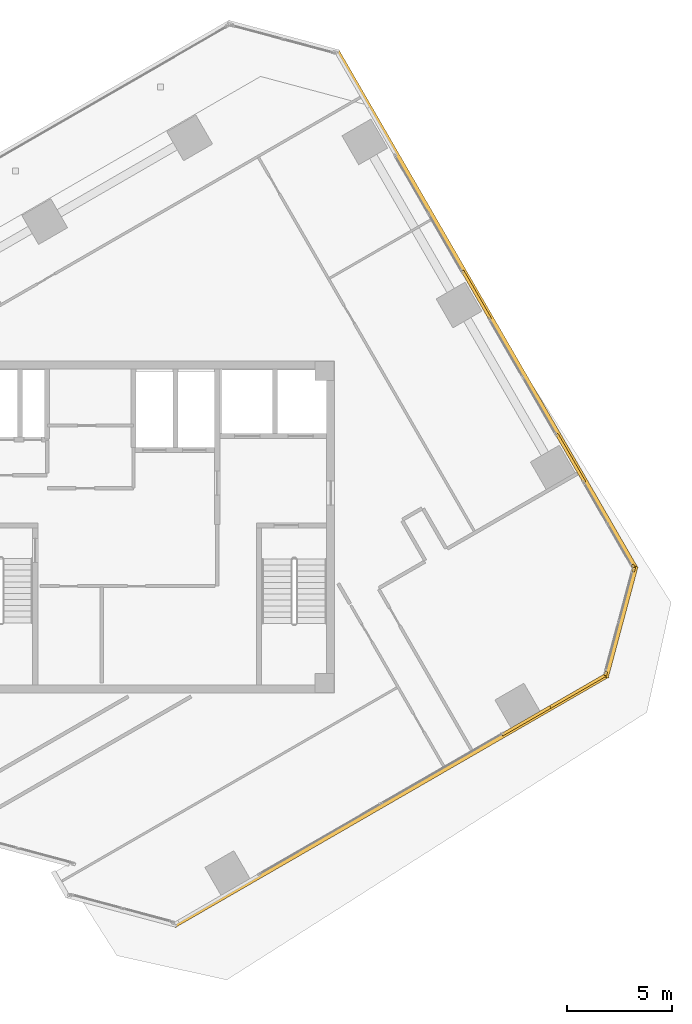
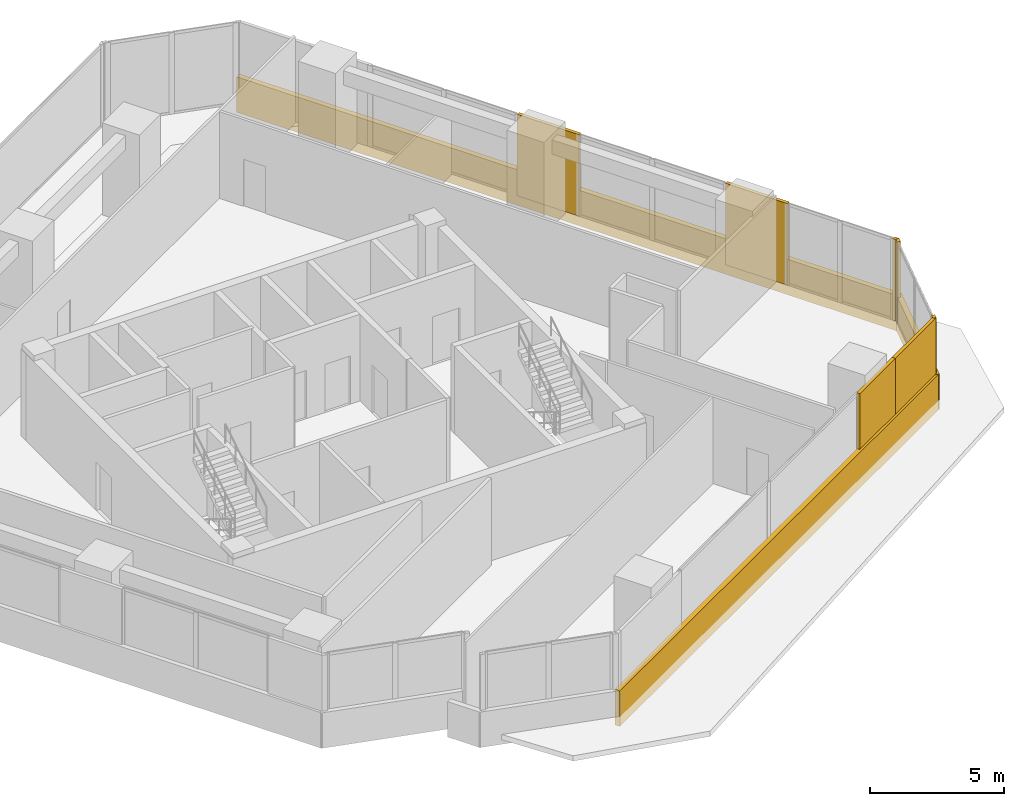
# One storey, part 15 of 16: 10 coverings.
"""IFC4 building model written with IfcOpenShell, lengths in metres."""

from ifc_helpers import new_model, si_unit, direction, frame, origin, origin_2d, place, context, subcontext, project, spatial, rectangle, extrude, source, transform, mapped, material, layer, layer_set, type_object, element, save


model = new_model("IFC4")

# Units and contexts
model_context = context("Model", 3, precision=1e-05, world=origin(), true_north=direction((0.0, 1.0)))
body_context = subcontext(model_context, "Body", "Model", "MODEL_VIEW")
ifc_project = project(units=[si_unit("LENGTHUNIT", "METRE"), si_unit("AREAUNIT", "SQUARE_METRE"), si_unit("VOLUMEUNIT", "CUBIC_METRE"), si_unit("PLANEANGLEUNIT", "RADIAN"), si_unit("MASSUNIT", "GRAM", prefix="KILO")], contexts=[model_context])

# Site, building, storey
site_placement = place(None, origin())
site = spatial("IfcSite", under=ifc_project, at=site_placement, CompositionType="ELEMENT")
building_placement = place(site_placement, origin())
building = spatial("IfcBuilding", under=site, at=building_placement, Name="Torre Montelarca", CompositionType="ELEMENT")
storey_placement = place(building_placement, frame((0.0, 0.0, 319.800048828125)))
storey = spatial("IfcBuildingStorey", under=building, at=storey_placement, Name="L72", CompositionType="ELEMENT", Elevation=319.800048828125)

# Coverings
ifc_material = material(Name="Bush-hammered warm white precast concrete C45/55", Category="concrete")
ifc_layer = layer(ifc_material, 0.139892578125, Name="Bush-hammered warm white precast concrete C45/55", Category="concrete")
ifc_layer_set = layer_set([ifc_layer], Name="Bush-hammered warm white precast concrete C45/55")
covering_type = type_object("IfcCoveringType", Name="COV-TRAY-CLAD", PredefinedType="CLADDING", material=ifc_layer_set)
shared_shape_1 = source(origin(), body_context, "Body", "SweptSolid", [
    extrude(rectangle(XDim=0.199951171875, YDim=0.139892578125, at=origin_2d()), origin(), (0.0, 0.0, 1.0), 3.719970703125),
])
for number, where, z_axis, x_axis, name in (
    (1, (39.8818359375, 24.998291015625, 0.0), (0.0, 0.0, 1.0), (0.258820730961, 0.965925374563, 0.0), "L72 Architectural Column Pier Cladding E07-1"),
    (2, (41.212646484375, 29.965576171875, 0.0), (0.0, 0.0, 1.0), (0.258820730961, 0.965925374563, 0.0), "L72 Architectural Column Pier Cladding E07-2"),
    (3, (41.193603515625, 30.109375, 0.0), (0.0, 0.0, 1.0), (-0.500001511499, 0.866024531118, 0.0), "L72 Architectural Column Pier Cladding E08-1"),
):
    element("IfcCovering", number, at=place(storey_placement, frame(where, z_axis=z_axis, x_axis=x_axis)), inside=storey, type_object=covering_type, Name=name, PredefinedType="CLADDING", context=body_context, shape_type="MappedRepresentation", body=[
        mapped(shared_shape_1, transform((0.0, 0.0, 0.0), scale=1.0)),
    ])
shared_shape_2 = source(origin(), body_context, "Body", "SweptSolid", [
    extrude(rectangle(XDim=2.659912109375, YDim=0.139892578125, at=origin_2d()), origin(), (0.0, 0.0, 1.0), 3.719970703125),
])
for number, where, z_axis, x_axis, name in (
    (4, (36.083251953125, 22.7412109375, 0.0), (0.0, 0.0, 1.0), (0.866025403784, 0.5, 0.0), "L72 Architectural Column Pier Cladding E06-3"),
    (5, (38.20166015625, 35.2919921875, 0.0), (0.0, 0.0, 1.0), (-0.500001511499, 0.866024531118, 0.0), "L72 Architectural Column Pier Cladding E08-2"),
    (6, (33.70166015625, 43.086181640625, 0.0), (0.0, 0.0, 1.0), (-0.500001511499, 0.866024531118, 0.0), "L72 Architectural Column Pier Cladding E08-3"),
):
    element("IfcCovering", number, at=place(storey_placement, frame(where, z_axis=z_axis, x_axis=x_axis)), inside=storey, type_object=covering_type, Name=name, PredefinedType="CLADDING", context=body_context, shape_type="MappedRepresentation", body=[
        mapped(shared_shape_2, transform((0.0, 0.0, 0.0), scale=1.0)),
    ])
shared_shape_3 = source(origin(), body_context, "Body", "SweptSolid", [
    extrude(rectangle(XDim=5.493896484375, YDim=0.219970703125, at=origin_2d()), origin(), (0.0, 0.0, 1.0), 1.6201171875),
])
covering_1_placement = place(storey_placement, frame((40.605224609375, 27.46630859375, -0.4501953125), z_axis=(0.0, 0.0, 1.0), x_axis=(0.258819045103, 0.965925826289, 0.0)))
element("IfcCovering", 7, at=covering_1_placement, inside=storey, type_object=covering_type, Name="L72 Architectural White Spandrel Tray Band TRYBOT-07", PredefinedType="CLADDING", context=body_context, shape_type="MappedRepresentation", body=[
    mapped(shared_shape_3, transform((0.0, 0.0, 0.0), scale=1.0)),
])
shared_shape_4 = source(origin(), body_context, "Body", "SweptSolid", [
    extrude(rectangle(XDim=28.6201171875, YDim=0.219970703125, at=origin_2d()), origin(), (0.0, 0.0, 1.0), 1.6201171875),
])
covering_2_placement = place(storey_placement, frame((34.1787109375, 42.3798828125, -0.4501953125), z_axis=(0.0, 0.0, 1.0), x_axis=(-0.5, 0.866025403784, 0.0)))
element("IfcCovering", 8, at=covering_2_placement, inside=storey, type_object=covering_type, Name="L72 Architectural White Spandrel Tray Band TRYBOT-08", PredefinedType="CLADDING", context=body_context, shape_type="MappedRepresentation", body=[
    mapped(shared_shape_4, transform((0.0, 0.0, 0.0), scale=1.0)),
])
shared_shape_5 = source(origin(), body_context, "Body", "SweptSolid", [
    extrude(rectangle(XDim=23.919921875, YDim=0.219970703125, at=origin_2d()), origin(), (0.0, 0.0, 1.0), 1.6201171875),
])
covering_3_placement = place(storey_placement, frame((29.617919921875, 18.939208984375, -0.4501953125), z_axis=(0.0, 0.0, 1.0), x_axis=(0.866025403784, 0.5, 0.0)))
element("IfcCovering", 9, at=covering_3_placement, inside=storey, type_object=covering_type, Name="L72 Architectural White Spandrel Tray Band TRYBOT-06", PredefinedType="CLADDING", context=body_context, shape_type="MappedRepresentation", body=[
    mapped(shared_shape_5, transform((0.0, 0.0, 0.0), scale=1.0)),
])
shared_shape_6 = source(origin(), body_context, "Body", "SweptSolid", [
    extrude(rectangle(XDim=3.154296875, YDim=0.139892578125, at=origin_2d()), origin(), (0.0, 0.0, 1.0), 3.719970703125),
])
covering_4_placement = place(storey_placement, frame((38.51416015625, 24.144775390625, 0.0), z_axis=(0.0, 0.0, 1.0), x_axis=(0.866025403784, 0.5, 0.0)))
element("IfcCovering", 10, at=covering_4_placement, inside=storey, type_object=covering_type, Name="L72 Architectural Column Pier Cladding E06-4", PredefinedType="CLADDING", context=body_context, shape_type="MappedRepresentation", body=[
    mapped(shared_shape_6, transform((0.0, 0.0, 0.0), scale=1.0)),
])

save(model, "model.ifc")
